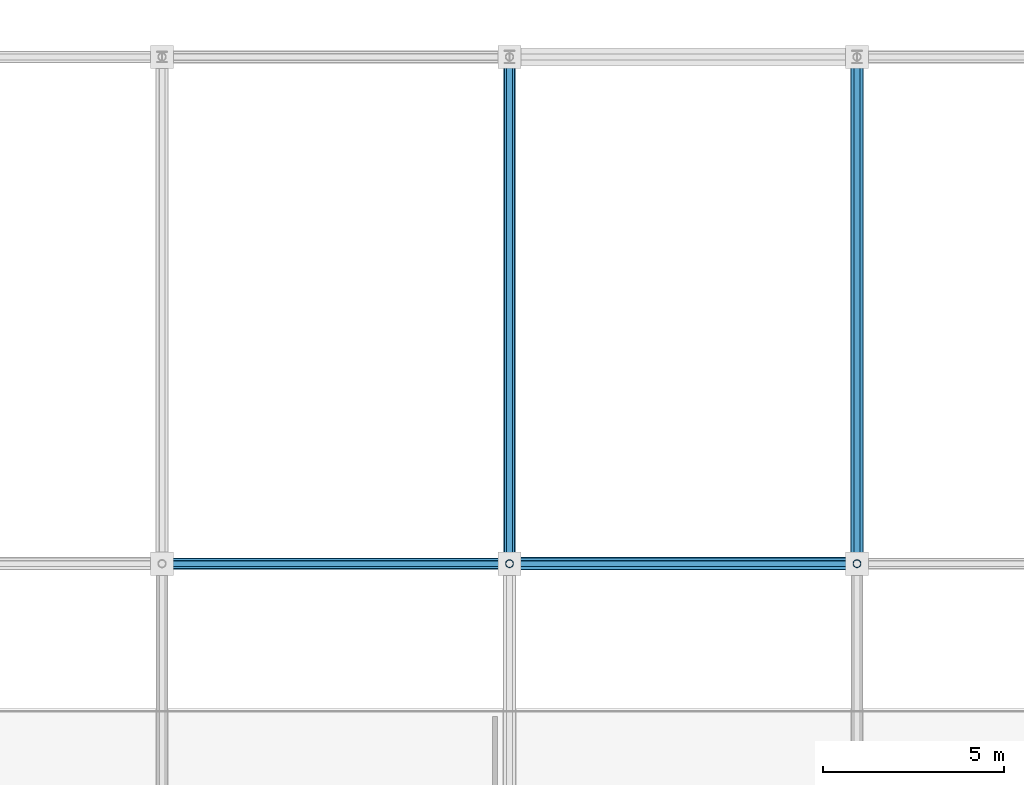
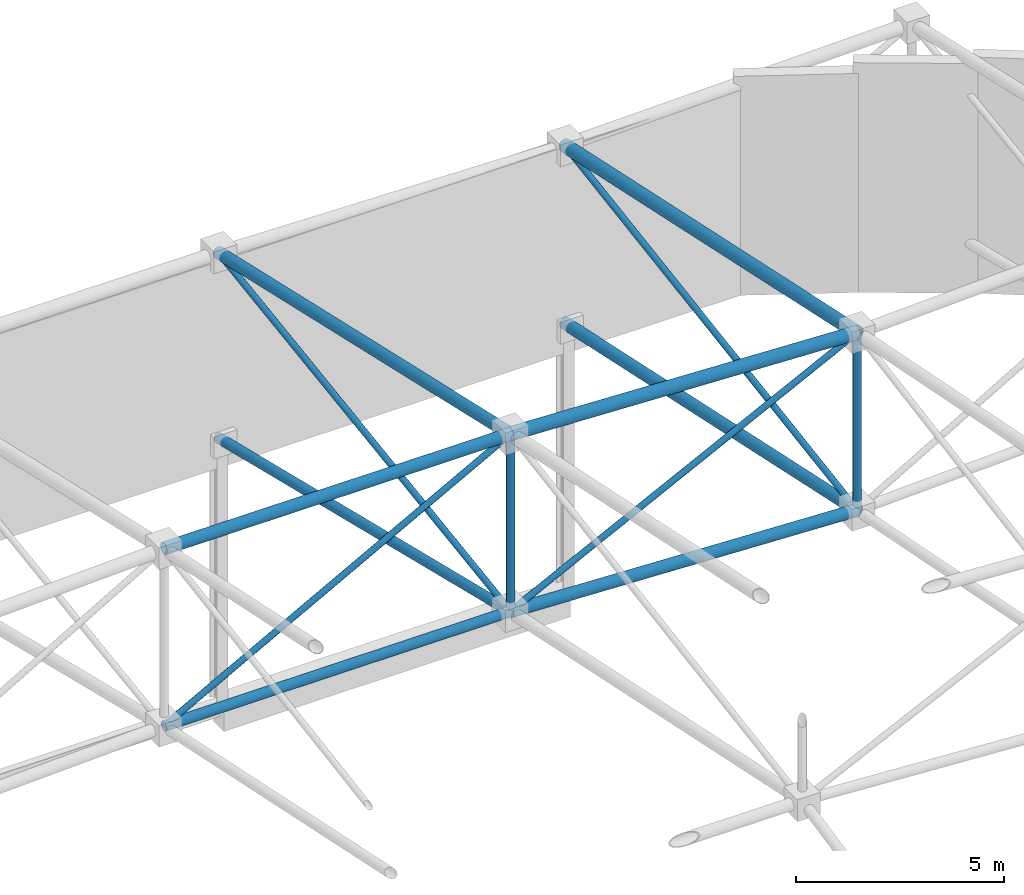
# One storey, part 140 of 193: 14 members.
"""IFC4 building model written with IfcOpenShell, lengths in metres."""

from ifc_helpers import new_model, si_unit, direction, frame, origin, origin_2d, place, context, subcontext, project, spatial, hollow_circle, extrude, material, material_profile, profile_set, type_object, element, save


model = new_model("IFC4")

# Units and contexts
model_context = context("Model", 3, precision=1e-05, world=origin(), true_north=direction((0.0, 1.0)))
body_context = subcontext(model_context, "Body", "Model", "MODEL_VIEW")
ifc_project = project(units=[si_unit("LENGTHUNIT", "METRE"), si_unit("AREAUNIT", "SQUARE_METRE"), si_unit("VOLUMEUNIT", "CUBIC_METRE"), si_unit("PLANEANGLEUNIT", "RADIAN"), si_unit("MASSUNIT", "GRAM", prefix="KILO")], contexts=[model_context])

# Site, building, storey
site_placement = place(None, origin())
site = spatial("IfcSite", under=ifc_project, at=site_placement, CompositionType="ELEMENT")
building_placement = place(site_placement, origin())
building = spatial("IfcBuilding", under=site, at=building_placement, Name="Danafjord Basin Convention Centre", CompositionType="ELEMENT")
storey_placement = place(building_placement, frame((0.0, 0.0, 11.39990234375)))
storey = spatial("IfcBuildingStorey", under=building, at=storey_placement, Name="L02", CompositionType="ELEMENT", Elevation=11.39990234375)

# Members
ifc_material = material(Name="Steel S355", Category="steel")
ifc_material_profile_1 = material_profile(ifc_material, hollow_circle(Radius=0.136474609375, WallThickness=0.012451171875, at=origin_2d()), Name="CHS 273.0x12.5")
ifc_profile_set_1 = profile_set([ifc_material_profile_1], Name="Steel S355")
member_type_1 = type_object("IfcMemberType", Name="MEM-CH-CHS273", PredefinedType="CHORD", material=ifc_profile_set_1)
member_1_placement = place(storey_placement, frame((153.60009765625, 130.0, 11.059814453125), z_axis=(1.0, 0.0, 0.0), x_axis=(0.0, 1.0, 0.0)))
element("IfcMember", 1, at=member_1_placement, inside=storey, type_object=member_type_1, Name="V2 roof truss longitudinal bottom chord", PredefinedType="CHORD", context=body_context, shape_type="SweptSolid", body=[
    extrude(hollow_circle(Radius=0.136474609375, WallThickness=0.012451171875, at=origin_2d()), origin(), (0.0, 0.0, 1.0), 9.599853515625),
])
member_2_placement = place(storey_placement, frame((163.199951171875, 130.0, 11.059814453125), z_axis=(0.0, 0.971599626019, -0.236630865949), x_axis=(-1.0, 0.0, 0.0)))
element("IfcMember", 2, at=member_2_placement, inside=storey, type_object=member_type_1, Name="V2 roof truss transverse bottom chord", PredefinedType="CHORD", context=body_context, shape_type="SweptSolid", body=[
    extrude(hollow_circle(Radius=0.136474609375, WallThickness=0.012451171875, at=origin_2d()), origin(), (0.0, 0.0, 1.0), 14.4091796875),
])
ifc_material_profile_2 = material_profile(ifc_material, hollow_circle(Radius=0.161865234375, WallThickness=0.01611328125, at=origin_2d()), Name="CHS 323.9x16.0")
ifc_profile_set_2 = profile_set([ifc_material_profile_2], Name="Steel S355")
member_type_2 = type_object("IfcMemberType", Name="MEM-CH-CHS324", PredefinedType="CHORD", material=ifc_profile_set_2)
member_3_placement = place(storey_placement, frame((153.60009765625, 130.0, 16.260009765625), z_axis=(0.999999999677, 0.0, -2.5431703e-05), x_axis=(0.0, 1.0, 0.0)))
element("IfcMember", 3, at=member_3_placement, inside=storey, type_object=member_type_2, Name="V2 roof truss longitudinal top chord", PredefinedType="CHORD", context=body_context, shape_type="SweptSolid", body=[
    extrude(hollow_circle(Radius=0.161865234375, WallThickness=0.01611328125, at=origin_2d()), origin(), (0.0, 0.0, 1.0), 9.599853515625),
])
member_4_placement = place(storey_placement, frame((163.199951171875, 130.0, 11.059814453125), z_axis=(0.999159728014, 0.0, -0.040985825779), x_axis=(0.0, 1.0, 0.0)))
element("IfcMember", 4, at=member_4_placement, inside=storey, type_object=member_type_2, Name="V2 roof truss longitudinal bottom chord", PredefinedType="CHORD", context=body_context, shape_type="SweptSolid", body=[
    extrude(hollow_circle(Radius=0.161865234375, WallThickness=0.01611328125, at=origin_2d()), origin(), (0.0, 0.0, 1.0), 9.608154296875),
])
member_5_placement = place(storey_placement, frame((163.199951171875, 130.0, 16.259765625), z_axis=(0.0, 0.975091413877, -0.221803369186), x_axis=(-1.0, 0.0, 0.0)))
element("IfcMember", 5, at=member_5_placement, inside=storey, type_object=member_type_2, Name="V2 roof truss transverse top chord", PredefinedType="CHORD", context=body_context, shape_type="SweptSolid", body=[
    extrude(hollow_circle(Radius=0.161865234375, WallThickness=0.01611328125, at=origin_2d()), origin(), (0.0, 0.0, 1.0), 14.357666015625),
])
member_6_placement = place(storey_placement, frame((172.800048828125, 130.0, 10.666015625), z_axis=(0.0, 0.977574816631, -0.210588408724), x_axis=(-1.0, 0.0, 0.0)))
element("IfcMember", 6, at=member_6_placement, inside=storey, type_object=member_type_2, Name="V2 roof truss transverse bottom chord", PredefinedType="CHORD", context=body_context, shape_type="SweptSolid", body=[
    extrude(hollow_circle(Radius=0.161865234375, WallThickness=0.01611328125, at=origin_2d()), origin(), (0.0, 0.0, 1.0), 14.321044921875),
])
ifc_material_profile_3 = material_profile(ifc_material, hollow_circle(Radius=0.177734375, WallThickness=0.01611328125, at=origin_2d()), Name="CHS 355.6x16.0")
ifc_profile_set_3 = profile_set([ifc_material_profile_3], Name="Steel S355")
member_type_3 = type_object("IfcMemberType", Name="MEM-CH-CHS355", PredefinedType="CHORD", material=ifc_profile_set_3)
member_7_placement = place(storey_placement, frame((163.199951171875, 130.0, 16.259765625), z_axis=(0.999160768255, 0.0, -0.040960458736), x_axis=(0.0, 1.0, 0.0)))
element("IfcMember", 7, at=member_7_placement, inside=storey, type_object=member_type_3, Name="V2 roof truss longitudinal top chord", PredefinedType="CHORD", context=body_context, shape_type="SweptSolid", body=[
    extrude(hollow_circle(Radius=0.177734375, WallThickness=0.01611328125, at=origin_2d()), origin(), (0.0, 0.0, 1.0), 9.608154296875),
])
member_8_placement = place(storey_placement, frame((172.800048828125, 130.0, 15.8662109375), z_axis=(0.0, 0.977571306998, -0.210604700172), x_axis=(-1.0, 0.0, 0.0)))
element("IfcMember", 8, at=member_8_placement, inside=storey, type_object=member_type_3, Name="V2 roof truss transverse top chord", PredefinedType="CHORD", context=body_context, shape_type="SweptSolid", body=[
    extrude(hollow_circle(Radius=0.177734375, WallThickness=0.01611328125, at=origin_2d()), origin(), (0.0, 0.0, 1.0), 14.3212890625),
])
ifc_material_profile_4 = material_profile(ifc_material, hollow_circle(Radius=0.109619140625, WallThickness=0.010009765625, at=origin_2d()), Name="CHS 219.1x10.0")
ifc_profile_set_4 = profile_set([ifc_material_profile_4], Name="Steel S355")
member_type_4 = type_object("IfcMemberType", Name="MEM-ST-CHS219", PredefinedType="STRUT", material=ifc_profile_set_4)
member_9_placement = place(storey_placement, frame((163.199951171875, 130.0, 11.059814453125), z_axis=(0.0, 0.0, 1.0), x_axis=(1.0, 0.0, 0.0)))
element("IfcMember", 9, at=member_9_placement, inside=storey, type_object=member_type_4, Name="V2 roof truss vertical strut", PredefinedType="STRUT", context=body_context, shape_type="SweptSolid", body=[
    extrude(hollow_circle(Radius=0.109619140625, WallThickness=0.010009765625, at=origin_2d()), origin(), (0.0, 0.0, 1.0), 5.199951171875),
])
member_10_placement = place(storey_placement, frame((172.800048828125, 130.0, 10.666015625), z_axis=(0.0, 0.0, 1.0), x_axis=(1.0, 0.0, 0.0)))
element("IfcMember", 10, at=member_10_placement, inside=storey, type_object=member_type_4, Name="V2 roof truss vertical strut", PredefinedType="STRUT", context=body_context, shape_type="SweptSolid", body=[
    extrude(hollow_circle(Radius=0.109619140625, WallThickness=0.010009765625, at=origin_2d()), origin(), (0.0, 0.0, 1.0), 5.2001953125),
])
ifc_material_profile_5 = material_profile(ifc_material, hollow_circle(Radius=0.084228515625, WallThickness=0.008056640625, at=origin_2d()), Name="CHS 168.3x8.0")
ifc_profile_set_5 = profile_set([ifc_material_profile_5], Name="Steel S355")
member_type_5 = type_object("IfcMemberType", Name="MEM-WB-CHS168", PredefinedType="MEMBER", material=ifc_profile_set_5)
member_11_placement = place(storey_placement, frame((153.60009765625, 130.0, 11.059814453125), z_axis=(0.879290795913, 0.0, 0.476285309686), x_axis=(0.0, 1.0, 0.0)))
element("IfcMember", 11, at=member_11_placement, inside=storey, type_object=member_type_5, Name="V2 space-frame longitudinal web", PredefinedType="MEMBER", context=body_context, shape_type="SweptSolid", body=[
    extrude(hollow_circle(Radius=0.084228515625, WallThickness=0.008056640625, at=origin_2d()), origin(), (0.0, 0.0, 1.0), 10.917724609375),
])
member_12_placement = place(storey_placement, frame((163.199951171875, 130.0, 11.059814453125), z_axis=(0.894190567742, 0.0, 0.447686529351), x_axis=(0.0, 1.0, 0.0)))
element("IfcMember", 12, at=member_12_placement, inside=storey, type_object=member_type_5, Name="V2 space-frame longitudinal web", PredefinedType="MEMBER", context=body_context, shape_type="SweptSolid", body=[
    extrude(hollow_circle(Radius=0.084228515625, WallThickness=0.008056640625, at=origin_2d()), origin(), (0.0, 0.0, 1.0), 10.736083984375),
])
member_13_placement = place(storey_placement, frame((163.199951171875, 130.0, 11.059814453125), z_axis=(0.0, 0.989796680829, 0.142486948944), x_axis=(-1.0, 0.0, 0.0)))
element("IfcMember", 13, at=member_13_placement, inside=storey, type_object=member_type_5, Name="V2 space-frame transverse web", PredefinedType="MEMBER", context=body_context, shape_type="SweptSolid", body=[
    extrude(hollow_circle(Radius=0.084228515625, WallThickness=0.008056640625, at=origin_2d()), origin(), (0.0, 0.0, 1.0), 14.144287109375),
])
member_14_placement = place(storey_placement, frame((172.800048828125, 130.0, 10.666015625), z_axis=(0.0, 0.988048798499, 0.154141401914), x_axis=(-1.0, 0.0, 0.0)))
element("IfcMember", 14, at=member_14_placement, inside=storey, type_object=member_type_5, Name="V2 space-frame transverse web", PredefinedType="MEMBER", context=body_context, shape_type="SweptSolid", body=[
    extrude(hollow_circle(Radius=0.084228515625, WallThickness=0.008056640625, at=origin_2d()), origin(), (0.0, 0.0, 1.0), 14.16943359375),
])

save(model, "model.ifc")
